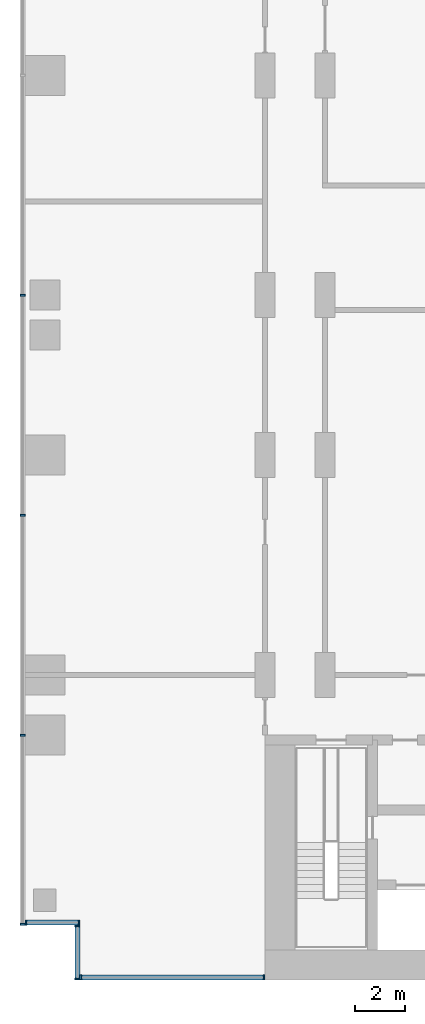
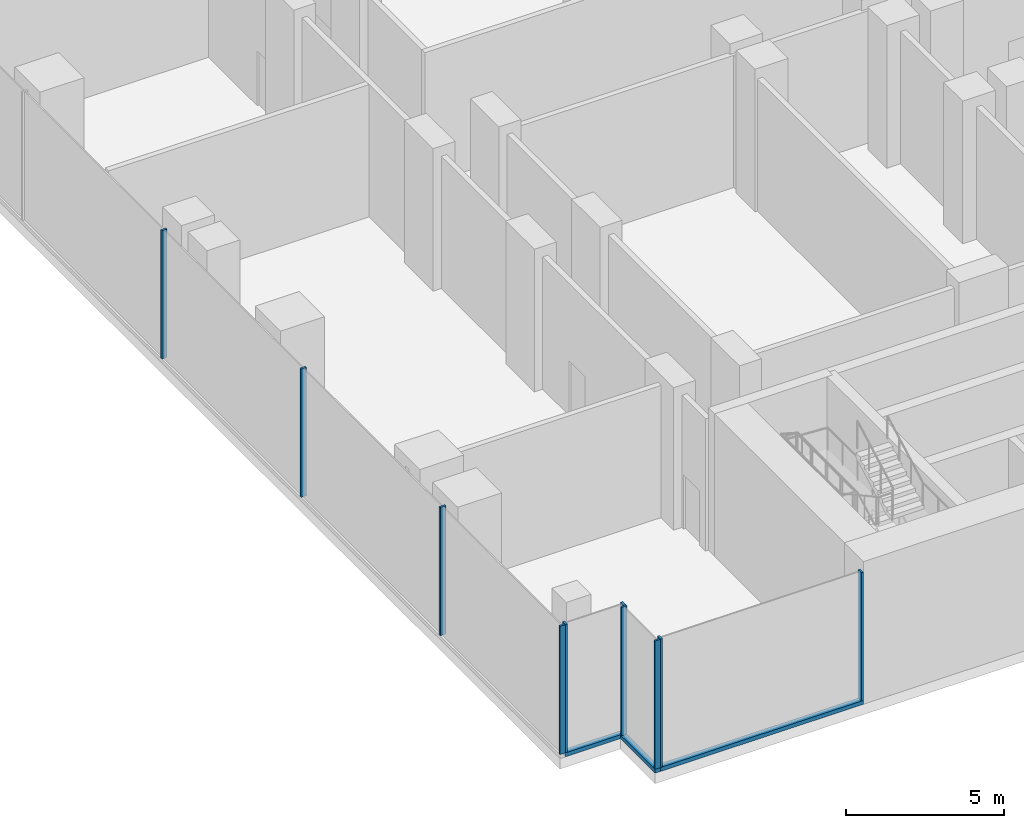
# One storey, part 2 of 30: 13 members, 4 elements without a shape of their own.
"""IFC4 building model written with IfcOpenShell, lengths in metres."""

from ifc_helpers import new_model, si_unit, direction, frame, origin, origin_2d, place, context, subcontext, project, spatial, rectangle, extrude, source, transform, mapped, material, material_profile, profile_set, type_object, element, aggregate, save


model = new_model("IFC4")

# Units and contexts
model_context = context("Model", 3, precision=1e-05, world=origin(), true_north=direction((0.0, 1.0)))
body_context = subcontext(model_context, "Body", "Model", "MODEL_VIEW")
ifc_project = project(units=[si_unit("LENGTHUNIT", "METRE"), si_unit("AREAUNIT", "SQUARE_METRE"), si_unit("VOLUMEUNIT", "CUBIC_METRE"), si_unit("PLANEANGLEUNIT", "RADIAN"), si_unit("MASSUNIT", "GRAM", prefix="KILO")], contexts=[model_context])

# Site, building, storey
site_placement = place(None, origin())
site = spatial("IfcSite", under=ifc_project, at=site_placement, CompositionType="ELEMENT")
building_placement = place(site_placement, origin())
building = spatial("IfcBuilding", under=site, at=building_placement, Name="Kemantara Hotel Tower", CompositionType="ELEMENT")
storey_placement = place(building_placement, frame((0.0, 0.0, 18.0)))
storey = spatial("IfcBuildingStorey", under=building, at=storey_placement, Name="L03", CompositionType="ELEMENT", Elevation=18.0)

# Curtain wall, member
ifc_material_1 = material(Name="Laminated tinted insulated glass 44 mm", Category="glass")
curtain_wall_type = type_object("IfcCurtainWallType", Name="PODIUM GLASS CURTAIN WALL", PredefinedType="USERDEFINED", material=ifc_material_1)
curtain_wall_1_placement = place(storey_placement, origin())
curtain_wall_1 = element("IfcCurtainWall", 1, at=curtain_wall_1_placement, inside=storey, type_object=curtain_wall_type, Name="CW1 L03 POD-R01-1", ObjectType="PODIUM GLASS CURTAIN WALL", PredefinedType="USERDEFINED")
ifc_material_2 = material(Name="Aluminium 6063-T6 bronze anodised", Category="aluminium")
ifc_material_profile_1 = material_profile(ifc_material_2, rectangle(XDim=0.199951171875, YDim=0.14990234375, at=origin_2d()), Name="PODIUM GLASS CURTAIN WALL TRANSOM")
ifc_profile_set_1 = profile_set([ifc_material_profile_1], Name="Aluminium 6063-T6 bronze anodised")
member_type_1 = type_object("IfcMemberType", Name="PODIUM GLASS CURTAIN WALL TRANSOM", PredefinedType="USERDEFINED", material=ifc_profile_set_1)
member_1_placement = place(storey_placement, frame((2.39990234375, 0.10009765625, 0.074951171875), z_axis=(1.0, 0.0, 0.0), x_axis=(0.0, 1.0, 0.0)))
member_1 = element("IfcMember", 2, at=member_1_placement, type_object=member_type_1, Name="CW1 sill transom POD-R01-1", ObjectType="TRANSOM", PredefinedType="USERDEFINED", context=body_context, shape_type="SweptSolid", body=[
    extrude(rectangle(XDim=0.199951171875, YDim=0.14990234375, at=origin_2d()), origin(), (0.0, 0.0, 1.0), 7.400146484375),
])

curtain_wall_2_placement = place(storey_placement, origin())
curtain_wall_2 = element("IfcCurtainWall", 3, at=curtain_wall_2_placement, inside=storey, type_object=curtain_wall_type, Name="CW1 L03 POD-R00-1", ObjectType="PODIUM GLASS CURTAIN WALL", PredefinedType="USERDEFINED")
member_2_placement = place(storey_placement, frame((2.300048828125, 2.199951171875, 0.074951171875), z_axis=(0.0, -1.0, 0.0), x_axis=(1.0, 0.0, 0.0)))
member_2 = element("IfcMember", 4, at=member_2_placement, type_object=member_type_1, Name="CW1 sill transom POD-R00-1", ObjectType="TRANSOM", PredefinedType="USERDEFINED", context=body_context, shape_type="SweptSolid", body=[
    extrude(rectangle(XDim=0.199951171875, YDim=0.14990234375, at=origin_2d()), origin(), (0.0, 0.0, 1.0), 2.199951171875),
])

curtain_wall_3_placement = place(storey_placement, origin())
curtain_wall_3 = element("IfcCurtainWall", 5, at=curtain_wall_3_placement, inside=storey, type_object=curtain_wall_type, Name="CW1 L03 POD-R17-1", ObjectType="PODIUM GLASS CURTAIN WALL", PredefinedType="USERDEFINED")
member_3_placement = place(storey_placement, frame((0.199951171875, 2.300048828125, 0.074951171875), z_axis=(1.0, 0.0, 0.0), x_axis=(0.0, 1.0, 0.0)))
member_3 = element("IfcMember", 6, at=member_3_placement, type_object=member_type_1, Name="CW1 sill transom POD-R17-1", ObjectType="TRANSOM", PredefinedType="USERDEFINED", context=body_context, shape_type="SweptSolid", body=[
    extrude(rectangle(XDim=0.199951171875, YDim=0.14990234375, at=origin_2d()), origin(), (0.0, 0.0, 1.0), 2.199951171875),
])

# Member
ifc_material_profile_2 = material_profile(ifc_material_2, rectangle(XDim=0.199951171875, YDim=0.074951171875, at=origin_2d()), Name="PODIUM GLASS CURTAIN WALL MULLION")
ifc_profile_set_2 = profile_set([ifc_material_profile_2], Name="Aluminium 6063-T6 bronze anodised")
member_type_2 = type_object("IfcMemberType", Name="PODIUM GLASS CURTAIN WALL MULLION", PredefinedType="MULLION", material=ifc_profile_set_2)
shared_shape = source(origin(), body_context, "Body", "SweptSolid", [
    extrude(rectangle(XDim=0.199951171875, YDim=0.074951171875, at=origin_2d()), origin(), (0.0, 0.0, 1.0), 4.9501953125),
])
member_4_placement = place(storey_placement, frame((2.4375, 0.10009765625, 0.14990234375), z_axis=(0.0, 0.0, 1.0), x_axis=(0.0, 1.0, 0.0)))
member_4 = element("IfcMember", 7, at=member_4_placement, type_object=member_type_2, Name="CW1 mullion POD-R01-1.1", PredefinedType="MULLION", context=body_context, shape_type="MappedRepresentation", body=[
    mapped(shared_shape, transform((0.0, 0.0, 0.0))),
])

member_5_placement = place(storey_placement, frame((9.762451171875, 0.10009765625, 0.14990234375), z_axis=(0.0, 0.0, 1.0), x_axis=(0.0, 1.0, 0.0)))
member_5 = element("IfcMember", 8, at=member_5_placement, type_object=member_type_2, Name="CW1 mullion POD-R01-1.2", PredefinedType="MULLION", context=body_context, shape_type="MappedRepresentation", body=[
    mapped(shared_shape, transform((0.0, 0.0, 0.0))),
])

aggregate(curtain_wall_1, [member_1, member_4, member_5])

# Curtain wall, members
curtain_wall_4_placement = place(storey_placement, origin())
curtain_wall_4 = element("IfcCurtainWall", 9, at=curtain_wall_4_placement, inside=storey, type_object=curtain_wall_type, Name="CW1 L03 POD-R16-1", ObjectType="PODIUM GLASS CURTAIN WALL", PredefinedType="USERDEFINED")
member_6_placement = place(storey_placement, frame((0.10009765625, 27.39990234375, 0.14990234375), z_axis=(0.0, 0.0, 1.0), x_axis=(1.0, 0.0, 0.0)))
member_6 = element("IfcMember", 10, at=member_6_placement, type_object=member_type_2, Name="CW1 mullion POD-R16-1.7", PredefinedType="MULLION", context=body_context, shape_type="MappedRepresentation", body=[
    mapped(shared_shape, transform((0.0, 0.0, 0.0))),
])
member_7_placement = place(storey_placement, frame((0.10009765625, 18.60009765625, 0.14990234375), z_axis=(0.0, 0.0, 1.0), x_axis=(1.0, 0.0, 0.0)))
member_7 = element("IfcMember", 11, at=member_7_placement, type_object=member_type_2, Name="CW1 mullion POD-R16-1.8", PredefinedType="MULLION", context=body_context, shape_type="MappedRepresentation", body=[
    mapped(shared_shape, transform((0.0, 0.0, 0.0))),
])
member_8_placement = place(storey_placement, frame((0.10009765625, 9.800048828125, 0.14990234375), z_axis=(0.0, 0.0, 1.0), x_axis=(1.0, 0.0, 0.0)))
member_8 = element("IfcMember", 12, at=member_8_placement, type_object=member_type_2, Name="CW1 mullion POD-R16-1.9", PredefinedType="MULLION", context=body_context, shape_type="MappedRepresentation", body=[
    mapped(shared_shape, transform((0.0, 0.0, 0.0))),
])
member_9_placement = place(storey_placement, frame((0.10009765625, 2.237548828125, 0.14990234375), z_axis=(0.0, 0.0, 1.0), x_axis=(1.0, 0.0, 0.0)))
member_9 = element("IfcMember", 13, at=member_9_placement, type_object=member_type_2, Name="CW1 mullion POD-R16-1.10", PredefinedType="MULLION", context=body_context, shape_type="MappedRepresentation", body=[
    mapped(shared_shape, transform((0.0, 0.0, 0.0))),
])
aggregate(curtain_wall_4, [member_6, member_7, member_8, member_9])

# Member
member_10_placement = place(storey_placement, frame((2.300048828125, 2.16259765625, 0.14990234375), z_axis=(0.0, 0.0, 1.0), x_axis=(1.0, 0.0, 0.0)))
member_10 = element("IfcMember", 14, at=member_10_placement, type_object=member_type_2, Name="CW1 mullion POD-R00-1.1", PredefinedType="MULLION", context=body_context, shape_type="MappedRepresentation", body=[
    mapped(shared_shape, transform((0.0, 0.0, 0.0))),
])

member_11_placement = place(storey_placement, frame((2.300048828125, 0.03759765625, 0.14990234375), z_axis=(0.0, 0.0, 1.0), x_axis=(1.0, 0.0, 0.0)))
member_11 = element("IfcMember", 15, at=member_11_placement, type_object=member_type_2, Name="CW1 mullion POD-R00-1.2", PredefinedType="MULLION", context=body_context, shape_type="MappedRepresentation", body=[
    mapped(shared_shape, transform((0.0, 0.0, 0.0))),
])

aggregate(curtain_wall_2, [member_2, member_10, member_11])

member_12_placement = place(storey_placement, frame((0.237548828125, 2.300048828125, 0.14990234375), z_axis=(0.0, 0.0, 1.0), x_axis=(0.0, 1.0, 0.0)))
member_12 = element("IfcMember", 16, at=member_12_placement, type_object=member_type_2, Name="CW1 mullion POD-R17-1.1", PredefinedType="MULLION", context=body_context, shape_type="MappedRepresentation", body=[
    mapped(shared_shape, transform((0.0, 0.0, 0.0))),
])

member_13_placement = place(storey_placement, frame((2.362548828125, 2.300048828125, 0.14990234375), z_axis=(0.0, 0.0, 1.0), x_axis=(0.0, 1.0, 0.0)))
member_13 = element("IfcMember", 17, at=member_13_placement, type_object=member_type_2, Name="CW1 mullion POD-R17-1.2", PredefinedType="MULLION", context=body_context, shape_type="MappedRepresentation", body=[
    mapped(shared_shape, transform((0.0, 0.0, 0.0))),
])

aggregate(curtain_wall_3, [member_3, member_12, member_13])

save(model, "model.ifc")
